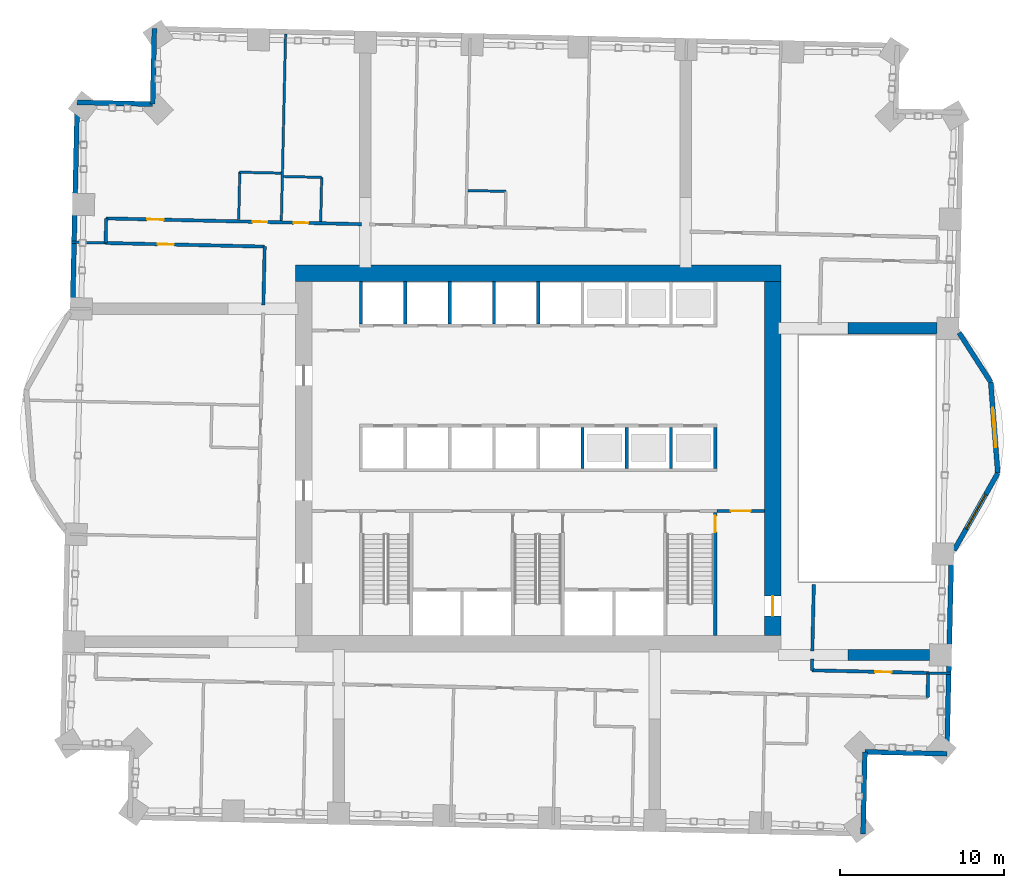
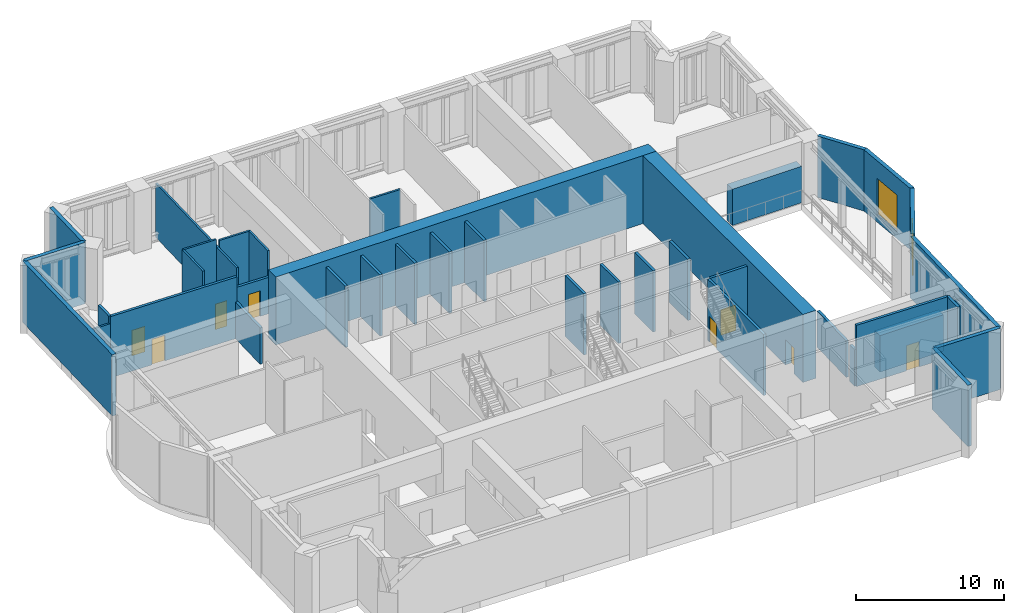
# One storey, part 8 of 13: 40 walls, 8 doors, 2 windows, 10 openings.
"""IFC4 building model written with IfcOpenShell, lengths in metres."""

from ifc_helpers import new_model, si_unit, direction, frame, frame_2d, origin, place, context, subcontext, project, spatial, rectangle, extrude, material, layer, layer_set, type_object, element, fill, save


model = new_model("IFC4")

# Units and contexts
model_context = context("Model", 3, precision=1e-05, world=origin(), true_north=direction((0.0, 1.0)))
body_context = subcontext(model_context, "Body", "Model", "MODEL_VIEW")
ifc_project = project(units=[si_unit("LENGTHUNIT", "METRE"), si_unit("AREAUNIT", "SQUARE_METRE"), si_unit("VOLUMEUNIT", "CUBIC_METRE"), si_unit("PLANEANGLEUNIT", "RADIAN"), si_unit("MASSUNIT", "GRAM", prefix="KILO")], contexts=[model_context])

# Site, building, storey
site_placement = place(None, origin())
site = spatial("IfcSite", under=ifc_project, at=site_placement, CompositionType="ELEMENT")
building_placement = place(site_placement, origin())
building = spatial("IfcBuilding", under=site, at=building_placement, Name="Mangrove Gate Tower", CompositionType="ELEMENT")
storey_placement = place(building_placement, frame((0.0, 0.0, 119.89990234375)))
storey = spatial("IfcBuildingStorey", under=building, at=storey_placement, Name="L30", CompositionType="ELEMENT", Elevation=119.89990234375)

# Wall, opening, door
ifc_material_1 = material(Name="Concrete C32/40", Category="concrete")
ifc_layer_1 = layer(ifc_material_1, 0.199951171875)
ifc_layer_set_1 = layer_set([ifc_layer_1], Name="Core lobby wall 200 C32/40")
wall_type_1 = type_object("IfcWallType", Name="Core lobby wall 200 C32/40", PredefinedType="STANDARD", material=ifc_layer_set_1)
wall_1_placement = place(storey_placement, frame((10.89990234375, -3.199951171875, 0.0), z_axis=(0.0, 0.0, 1.0), x_axis=(1.0, 0.0, 0.0)))
wall_1 = element("IfcWall", 1, at=wall_1_placement, inside=storey, type_object=wall_type_1, Name="WALL-L30-CORE-39", PredefinedType="STANDARD", context=body_context, shape_type="SweptSolid", body=[
    extrude(rectangle(XDim=2.900146484375, YDim=0.199951171875, at=frame_2d((1.4501953125, 0.0))), origin(), (0.0, 0.0, 1.0), 5.050048828125),
])
opening_1_placement = place(wall_1_placement, frame((0.85009765625, 0.0, 0.0)))
opening_1 = element("IfcOpeningElement", 2, at=opening_1_placement, cuts=wall_1, Name="Opening FL12", PredefinedType="OPENING", context=body_context, shape_type="SweptSolid", body=[
    extrude(rectangle(XDim=1.199951171875, YDim=2.10009765625, at=frame_2d((0.60009765625, 1.050048828125))), frame((0.0, 0.10986328125, 0.0), z_axis=(0.0, -1.0, 0.0), x_axis=(1.0, 0.0, 0.0)), (0.0, 0.0, 1.0), 0.219970703125),
])
ifc_material_2 = material(Name="Fire-rated steel door set", Category="steel")
door_type_1 = type_object("IfcDoorType", Name="Lobby door FD60 1200x2100", OperationType="SINGLE_SWING_LEFT", PredefinedType="DOOR", material=ifc_material_2)
door_1_placement = place(opening_1_placement, origin())
door_1 = element("IfcDoor", 3, at=door_1_placement, inside=storey, type_object=door_type_1, Name="Lobby door refuge lobby E link", OperationType="SINGLE_SWING_LEFT", OverallHeight=2.10009765625, OverallWidth=1.199951171875, PredefinedType="DOOR", context=body_context, shape_type="SweptSolid", body=[
    extrude(rectangle(XDim=1.199951171875, YDim=2.10009765625, at=frame_2d((0.60009765625, 1.050048828125))), frame((0.0, 0.02490234375, 0.0), z_axis=(0.0, -1.0, 0.0), x_axis=(1.0, 0.0, 0.0)), (0.0, 0.0, 1.0), 0.050048828125),
])
fill(opening_1, door_1)

# Walls
ifc_material_3 = material(Name="Concrete C70/85", Category="concrete")
ifc_layer_2 = layer(ifc_material_3, 0.199951171875)
ifc_layer_set_2 = layer_set([ifc_layer_2], Name="Core shaft wall 200 C70/85")
wall_type_2 = type_object("IfcWallType", Name="Core shaft wall 200 C70/85", PredefinedType="SHEAR", material=ifc_layer_set_2)
for number, where, z_axis, x_axis, name in (
    (4, (2.699951171875, -0.60009765625, 0.0), (0.0, 0.0, 1.0), (0.0, 1.0, 0.0), "WALL-L30-CORE-24"),
    (5, (5.39990234375, -0.60009765625, 0.0), (0.0, 0.0, 1.0), (0.0, 1.0, 0.0), "WALL-L30-CORE-25"),
    (6, (8.10009765625, -0.60009765625, 0.0), (0.0, 0.0, 1.0), (0.0, 1.0, 0.0), "WALL-L30-CORE-26"),
    (7, (10.800048828125, -0.60009765625, 0.0), (0.0, 0.0, 1.0), (0.0, 1.0, 0.0), "WALL-L30-CORE-27"),
):
    element("IfcWall", number, at=place(storey_placement, frame(where, z_axis=z_axis, x_axis=x_axis)), inside=storey, type_object=wall_type_2, Name=name, PredefinedType="SHEAR", context=body_context, shape_type="SweptSolid", body=[
        extrude(rectangle(XDim=2.5, YDim=0.199951171875, at=frame_2d((1.25, 0.0))), origin(), (0.0, 0.0, 1.0), 5.050048828125),
    ])
for number, where, z_axis, x_axis, name in (
    (8, (-10.800048828125, 8.199951171875, 0.0), (0.0, 0.0, 1.0), (0.0, 1.0, 0.0), "WALL-L30-CORE-28"),
    (9, (-8.10009765625, 8.199951171875, 0.0), (0.0, 0.0, 1.0), (0.0, 1.0, 0.0), "WALL-L30-CORE-29"),
    (10, (-5.39990234375, 8.199951171875, 0.0), (0.0, 0.0, 1.0), (0.0, 1.0, 0.0), "WALL-L30-CORE-30"),
    (11, (-2.699951171875, 8.199951171875, 0.0), (0.0, 0.0, 1.0), (0.0, 1.0, 0.0), "WALL-L30-CORE-31"),
    (12, (0.0, 8.199951171875, 0.0), (0.0, 0.0, 1.0), (0.0, 1.0, 0.0), "WALL-L30-CORE-32"),
):
    element("IfcWall", number, at=place(storey_placement, frame(where, z_axis=z_axis, x_axis=x_axis)), inside=storey, type_object=wall_type_2, Name=name, PredefinedType="SHEAR", context=body_context, shape_type="SweptSolid", body=[
        extrude(rectangle(XDim=2.60009765625, YDim=0.199951171875, at=frame_2d((1.300048828125, 0.0))), origin(), (0.0, 0.0, 1.0), 5.050048828125),
    ])

# Wall, opening, door
ifc_material_4 = material(Name="Concrete C70/85", Category="concrete")
ifc_layer_3 = layer(ifc_material_4, 0.199951171875)
ifc_layer_set_3 = layer_set([ifc_layer_3], Name="Core stair wall 200 C70/85")
wall_type_3 = type_object("IfcWallType", Name="Core stair wall 200 C70/85", PredefinedType="SHEAR", material=ifc_layer_set_3)
wall_2_placement = place(storey_placement, frame((10.800048828125, -10.800048828125, 0.0), z_axis=(0.0, 0.0, 1.0), x_axis=(0.0, 1.0, 0.0)))
wall_2 = element("IfcWall", 13, at=wall_2_placement, inside=storey, type_object=wall_type_3, Name="WALL-L30-CORE-14", PredefinedType="SHEAR", context=body_context, shape_type="SweptSolid", body=[
    extrude(rectangle(XDim=7.5, YDim=0.199951171875, at=frame_2d((3.75, 0.0))), origin(), (0.0, 0.0, 1.0), 5.050048828125),
])
opening_2_placement = place(wall_2_placement, frame((6.300048828125, 0.0, 0.0)))
opening_2 = element("IfcOpeningElement", 14, at=opening_2_placement, cuts=wall_2, Name="Opening STD10", PredefinedType="OPENING", context=body_context, shape_type="SweptSolid", body=[
    extrude(rectangle(XDim=1.0, YDim=2.10009765625, at=frame_2d((0.5, 1.050048828125))), frame((0.0, 0.10986328125, 0.0), z_axis=(0.0, -1.0, 0.0), x_axis=(1.0, 0.0, 0.0)), (0.0, 0.0, 1.0), 0.219970703125),
])
ifc_material_5 = material(Name="Fire-rated steel door set", Category="steel")
door_type_2 = type_object("IfcDoorType", Name="Stair door FD60 1000x2100", OperationType="SINGLE_SWING_RIGHT", PredefinedType="DOOR", material=ifc_material_5)
door_2_placement = place(opening_2_placement, origin())
door_2 = element("IfcDoor", 15, at=door_2_placement, inside=storey, type_object=door_type_2, Name="Stair door refuge lobby E to stair", OperationType="SINGLE_SWING_RIGHT", OverallHeight=2.10009765625, OverallWidth=1.0, PredefinedType="DOOR", context=body_context, shape_type="SweptSolid", body=[
    extrude(rectangle(XDim=1.0, YDim=2.10009765625, at=frame_2d((0.5, 1.050048828125))), frame((0.0, 0.02490234375, 0.0), z_axis=(0.0, -1.0, 0.0), x_axis=(1.0, 0.0, 0.0)), (0.0, 0.0, 1.0), 0.050048828125),
])
fill(opening_2, door_2)

# Wall
ifc_material_6 = material(Name="Concrete C70/85", Category="concrete")
ifc_layer_4 = layer(ifc_material_6, 1.0)
ifc_layer_set_4 = layer_set([ifc_layer_4], Name="Core wall 1000 C70/85")
wall_type_4 = type_object("IfcWallType", Name="Core wall 1000 C70/85", PredefinedType="SHEAR", material=ifc_layer_set_4)
wall_3_placement = place(storey_placement, frame((-14.800048828125, 11.300048828125, 0.0), z_axis=(0.0, 0.0, 1.0), x_axis=(1.0, 0.0, 0.0)))
element("IfcWall", 16, at=wall_3_placement, inside=storey, type_object=wall_type_4, Name="WALL-L30-CORE-2", PredefinedType="SHEAR", context=body_context, shape_type="SweptSolid", body=[
    extrude(rectangle(XDim=29.60009765625, YDim=1.0, at=frame_2d((14.800048828125, 0.0))), origin(), (0.0, 0.0, 1.0), 5.60009765625),
])

# Wall, opening, door
wall_4_placement = place(storey_placement, frame((14.300048828125, -10.800048828125, 0.0), z_axis=(0.0, 0.0, 1.0), x_axis=(0.0, 1.0, 0.0)))
wall_4 = element("IfcWall", 17, at=wall_4_placement, inside=storey, type_object=wall_type_4, Name="WALL-L30-CORE-4", PredefinedType="SHEAR", context=body_context, shape_type="SweptSolid", body=[
    extrude(rectangle(XDim=21.60009765625, YDim=1.0, at=frame_2d((10.800048828125, 0.0))), origin(), (0.0, 0.0, 1.0), 5.60009765625),
])
opening_3_placement = place(wall_4_placement, frame((1.199951171875, 0.0, 0.0)))
opening_3 = element("IfcOpeningElement", 18, at=opening_3_placement, cuts=wall_4, Name="Opening CD", PredefinedType="OPENING", context=body_context, shape_type="SweptSolid", body=[
    extrude(rectangle(XDim=1.199951171875, YDim=2.10009765625, at=frame_2d((0.60009765625, 1.050048828125))), frame((0.0, 0.510009765625, 0.0), z_axis=(0.0, -1.0, 0.0), x_axis=(1.0, 0.0, 0.0)), (0.0, 0.0, 1.0), 1.02001953125),
])
ifc_material_7 = material(Name="Fire-rated steel door set", Category="steel")
door_type_3 = type_object("IfcDoorType", Name="Core ring door FD60 1200x2100", OperationType="DOUBLE_DOOR_SINGLE_SWING", PredefinedType="DOOR", material=ifc_material_7)
door_3_placement = place(opening_3_placement, origin())
door_3 = element("IfcDoor", 19, at=door_3_placement, inside=storey, type_object=door_type_3, Name="Core ring door E1", OperationType="DOUBLE_DOOR_SINGLE_SWING", OverallHeight=2.10009765625, OverallWidth=1.199951171875, PredefinedType="DOOR", context=body_context, shape_type="SweptSolid", body=[
    extrude(rectangle(XDim=1.199951171875, YDim=2.10009765625, at=frame_2d((0.60009765625, 1.050048828125))), frame((0.0, 0.02490234375, 0.0), z_axis=(0.0, -1.0, 0.0), x_axis=(1.0, 0.0, 0.0)), (0.0, 0.0, 1.0), 0.050048828125),
])
fill(opening_3, door_3)

# Wall
ifc_material_8 = material(Name="Gypsum board on steel stud, EI 60", Category="steel")
ifc_layer_5 = layer(ifc_material_8, 0.199951171875)
ifc_layer_set_5 = layer_set([ifc_layer_5], Name="Corridor wall EI 60")
wall_type_5 = type_object("IfcWallType", Name="Corridor wall EI 60", PredefinedType="PARTITIONING", material=ifc_layer_set_5)
wall_5_placement = place(storey_placement, frame((23.738037109375, -14.5791015625, 0.0), z_axis=(0.0, 0.0, 1.0), x_axis=(0.022617910375, 0.999744182344, 0.0)))
element("IfcWall", 20, at=wall_5_placement, inside=storey, type_object=wall_type_5, Name="WALL-L30-015", PredefinedType="PARTITIONING", context=body_context, shape_type="SweptSolid", body=[
    extrude(rectangle(XDim=1.50048828125, YDim=0.199951171875, at=frame_2d((0.750244140625, 0.0))), origin(), (0.0, 0.0, 1.0), 5.050048828125),
])

# Wall, opening, door
wall_6_placement = place(storey_placement, frame((16.678955078125, -12.91796875, 0.0), z_axis=(0.0, 0.0, 1.0), x_axis=(0.999739218926, -0.02283624622, 0.0)))
wall_6 = element("IfcWall", 21, at=wall_6_placement, inside=storey, type_object=wall_type_5, Name="WALL-L30-018", PredefinedType="PARTITIONING", context=body_context, shape_type="SweptSolid", body=[
    extrude(rectangle(XDim=7.098876953125, YDim=0.199951171875, at=frame_2d((3.54931640625, 0.0))), origin(), (0.0, 0.0, 1.0), 5.050048828125),
])
opening_4_placement = place(wall_6_placement, frame((3.862060546875, 0.0, 0.0)))
opening_4 = element("IfcOpeningElement", 22, at=opening_4_placement, cuts=wall_6, Name="Opening AD", PredefinedType="OPENING", context=body_context, shape_type="SweptSolid", body=[
    extrude(rectangle(XDim=1.0, YDim=2.10009765625, at=frame_2d((0.5, 1.050048828125))), frame((0.0, 0.10986328125, 0.0), z_axis=(0.0, -1.0, 0.0), x_axis=(1.0, 0.0, 0.0)), (0.0, 0.0, 1.0), 0.219970703125),
])
ifc_material_9 = material(Name="Timber door leaf", Category="wood")
door_type_4 = type_object("IfcDoorType", Name="Amenity door 1000", OperationType="SINGLE_SWING_LEFT", PredefinedType="DOOR", material=ifc_material_9)
door_4_placement = place(opening_4_placement, origin())
door_4 = element("IfcDoor", 23, at=door_4_placement, inside=storey, type_object=door_type_4, Name="DOOR-L30-KIT-c2b", OperationType="SINGLE_SWING_RIGHT", OverallHeight=2.10009765625, OverallWidth=1.0, PredefinedType="DOOR", context=body_context, shape_type="SweptSolid", body=[
    extrude(rectangle(XDim=1.0, YDim=2.10009765625, at=frame_2d((0.5, 1.050048828125))), frame((0.0, 0.02490234375, 0.0), z_axis=(0.0, -1.0, 0.0), x_axis=(1.0, 0.0, 0.0)), (0.0, 0.0, 1.0), 0.050048828125),
])
fill(opening_4, door_4)

# Walls
wall_7_placement = place(storey_placement, frame((16.68408203125, -12.9189453125, 0.0), z_axis=(0.0, 0.0, 1.0), x_axis=(0.02302720217, 0.999734838825, 0.0)))
element("IfcWall", 24, at=wall_7_placement, inside=storey, type_object=wall_type_5, Name="WALL-L30-019", PredefinedType="PARTITIONING", context=body_context, shape_type="SweptSolid", body=[
    extrude(rectangle(XDim=0.689208984375, YDim=0.199951171875, at=frame_2d((0.3447265625, 0.0))), origin(), (0.0, 0.0, 1.0), 3.0),
])
wall_8_placement = place(storey_placement, frame((16.7109375, -11.738037109375, 0.0), z_axis=(0.0, 0.0, 1.0), x_axis=(0.022647716762, 0.999743507569, 0.0)))
element("IfcWall", 25, at=wall_8_placement, inside=storey, type_object=wall_type_5, Name="WALL-L30-021", PredefinedType="PARTITIONING", context=body_context, shape_type="SweptSolid", body=[
    extrude(rectangle(XDim=4.06396484375, YDim=0.199951171875, at=frame_2d((2.031982421875, 0.0))), origin(), (0.0, 0.0, 1.0), 3.0),
])
wall_9_placement = place(storey_placement, frame((-16.759033203125, 9.367919921875, 0.0), z_axis=(0.0, 0.0, 1.0), x_axis=(0.022819769377, 0.999739595157, 0.0)))
element("IfcWall", 26, at=wall_9_placement, inside=storey, type_object=wall_type_5, Name="WALL-L30-029", PredefinedType="PARTITIONING", context=body_context, shape_type="SweptSolid", body=[
    extrude(rectangle(XDim=3.552001953125, YDim=0.199951171875, at=frame_2d((1.77587890625, 0.0))), origin(), (0.0, 0.0, 1.0), 3.0),
])

# Wall, opening, door
wall_10_placement = place(storey_placement, frame((-26.375, 13.135009765625, 0.0), z_axis=(0.0, 0.0, 1.0), x_axis=(0.999742757425, -0.022680806356, 0.0)))
wall_10 = element("IfcWall", 27, at=wall_10_placement, inside=storey, type_object=wall_type_5, Name="WALL-L30-031", PredefinedType="PARTITIONING", context=body_context, shape_type="SweptSolid", body=[
    extrude(rectangle(XDim=9.698486328125, YDim=0.199951171875, at=frame_2d((4.84912109375, 0.0))), origin(), (0.0, 0.0, 1.0), 5.050048828125),
])
opening_5_placement = place(wall_10_placement, frame((3.1669921875, 0.0, 0.0)))
opening_5 = element("IfcOpeningElement", 28, at=opening_5_placement, cuts=wall_10, Name="Opening AD", PredefinedType="OPENING", context=body_context, shape_type="SweptSolid", body=[
    extrude(rectangle(XDim=1.0, YDim=2.10009765625, at=frame_2d((0.5, 1.050048828125))), frame((0.0, 0.10986328125, 0.0), z_axis=(0.0, -1.0, 0.0), x_axis=(1.0, 0.0, 0.0)), (0.0, 0.0, 1.0), 0.219970703125),
])
door_5_placement = place(opening_5_placement, origin())
door_5 = element("IfcDoor", 29, at=door_5_placement, inside=storey, type_object=door_type_4, Name="DOOR-L30-GAM-c5a", OperationType="SINGLE_SWING_LEFT", OverallHeight=2.10009765625, OverallWidth=1.0, PredefinedType="DOOR", context=body_context, shape_type="SweptSolid", body=[
    extrude(rectangle(XDim=1.0, YDim=2.10009765625, at=frame_2d((0.5, 1.050048828125))), frame((0.0, 0.02490234375, 0.0), z_axis=(0.0, -1.0, 0.0), x_axis=(1.0, 0.0, 0.0)), (0.0, 0.0, 1.0), 0.050048828125),
])
fill(opening_5, door_5)

# Wall
wall_11_placement = place(storey_placement, frame((-26.3759765625, 13.138916015625, 0.0), z_axis=(0.0, 0.0, 1.0), x_axis=(0.022617910375, 0.999744182344, 0.0)))
element("IfcWall", 30, at=wall_11_placement, inside=storey, type_object=wall_type_5, Name="WALL-L30-034", PredefinedType="PARTITIONING", context=body_context, shape_type="SweptSolid", body=[
    extrude(rectangle(XDim=1.50048828125, YDim=0.199951171875, at=frame_2d((0.750244140625, 0.0))), origin(), (0.0, 0.0, 1.0), 5.050048828125),
])

# Wall, openings, doors
wall_12_placement = place(storey_placement, frame((-26.341064453125, 14.635009765625, 0.0), z_axis=(0.0, 0.0, 1.0), x_axis=(0.999742628706, -0.022686479412, 0.0)))
wall_12 = element("IfcWall", 31, at=wall_12_placement, inside=storey, type_object=wall_type_5, Name="WALL-L30-036", PredefinedType="PARTITIONING", context=body_context, shape_type="SweptSolid", body=[
    extrude(rectangle(XDim=15.56103515625, YDim=0.199951171875, at=frame_2d((7.780517578125, 0.0))), origin(), (0.0, 0.0, 1.0), 3.0),
])
opening_6_placement = place(wall_12_placement, frame((11.425048828125, 0.0, 0.0)))
opening_6 = element("IfcOpeningElement", 32, at=opening_6_placement, cuts=wall_12, Name="Opening SD", PredefinedType="OPENING", context=body_context, shape_type="SweptSolid", body=[
    extrude(rectangle(XDim=0.89990234375, YDim=2.10009765625, at=frame_2d((0.449951171875, 1.050048828125))), frame((0.0, 0.10986328125, 0.0), z_axis=(0.0, -1.0, 0.0), x_axis=(1.0, 0.0, 0.0)), (0.0, 0.0, 1.0), 0.219970703125),
])
opening_7_placement = place(wall_12_placement, frame((2.5, 0.0, 0.0)))
opening_7 = element("IfcOpeningElement", 33, at=opening_7_placement, cuts=wall_12, Name="Opening AD", PredefinedType="OPENING", context=body_context, shape_type="SweptSolid", body=[
    extrude(rectangle(XDim=1.0, YDim=2.10009765625, at=frame_2d((0.5, 1.050048828125))), frame((0.0, 0.10986328125, 0.0), z_axis=(0.0, -1.0, 0.0), x_axis=(1.0, 0.0, 0.0)), (0.0, 0.0, 1.0), 0.219970703125),
])
opening_8_placement = place(wall_12_placement, frame((8.925048828125, 0.0, 0.0)))
opening_8 = element("IfcOpeningElement", 34, at=opening_8_placement, cuts=wall_12, Name="Opening SD", PredefinedType="OPENING", context=body_context, shape_type="SweptSolid", body=[
    extrude(rectangle(XDim=0.89990234375, YDim=2.10009765625, at=frame_2d((0.449951171875, 1.050048828125))), frame((0.0, 0.10986328125, 0.0), z_axis=(0.0, -1.0, 0.0), x_axis=(1.0, 0.0, 0.0)), (0.0, 0.0, 1.0), 0.219970703125),
])
door_6_placement = place(opening_7_placement, origin())
door_6 = element("IfcDoor", 35, at=door_6_placement, inside=storey, type_object=door_type_4, Name="DOOR-L30-LNG-c4b", OperationType="SINGLE_SWING_RIGHT", OverallHeight=2.10009765625, OverallWidth=1.0, PredefinedType="DOOR", context=body_context, shape_type="SweptSolid", body=[
    extrude(rectangle(XDim=1.0, YDim=2.10009765625, at=frame_2d((0.5, 1.050048828125))), frame((0.0, 0.02490234375, 0.0), z_axis=(0.0, -1.0, 0.0), x_axis=(1.0, 0.0, 0.0)), (0.0, 0.0, 1.0), 0.050048828125),
])
fill(opening_7, door_6)
ifc_material_10 = material(Name="Timber door leaf", Category="wood")
door_type_5 = type_object("IfcDoorType", Name="Service room door 900", OperationType="SINGLE_SWING_LEFT", PredefinedType="DOOR", material=ifc_material_10)
door_7_placement = place(opening_6_placement, origin())
door_7 = element("IfcDoor", 36, at=door_7_placement, inside=storey, type_object=door_type_5, Name="DOOR-L30-WC-c4a", OperationType="SINGLE_SWING_RIGHT", OverallHeight=2.10009765625, OverallWidth=0.89990234375, PredefinedType="DOOR", context=body_context, shape_type="SweptSolid", body=[
    extrude(rectangle(XDim=0.89990234375, YDim=2.10009765625, at=frame_2d((0.449951171875, 1.050048828125))), frame((0.0, 0.02490234375, 0.0), z_axis=(0.0, -1.0, 0.0), x_axis=(1.0, 0.0, 0.0)), (0.0, 0.0, 1.0), 0.050048828125),
])
fill(opening_6, door_7)
door_8_placement = place(opening_8_placement, origin())
door_8 = element("IfcDoor", 37, at=door_8_placement, inside=storey, type_object=door_type_5, Name="DOOR-L30-AWC-c4a", OperationType="SINGLE_SWING_LEFT", OverallHeight=2.10009765625, OverallWidth=0.89990234375, PredefinedType="DOOR", context=body_context, shape_type="SweptSolid", body=[
    extrude(rectangle(XDim=0.89990234375, YDim=2.10009765625, at=frame_2d((0.449951171875, 1.050048828125))), frame((0.0, 0.02490234375, 0.0), z_axis=(0.0, -1.0, 0.0), x_axis=(1.0, 0.0, 0.0)), (0.0, 0.0, 1.0), 0.050048828125),
])
fill(opening_8, door_8)

# Wall
ifc_material_11 = material(Name="Limestone", Category="masonry")
ifc_layer_6 = layer(ifc_material_11, 0.0400390625, Name="Limestone cladding")
ifc_material_12 = material(Name="Ventilated air gap")
ifc_layer_7 = layer(ifc_material_12, 0.0400390625, Name="Ventilated cavity")
ifc_material_13 = material(Name="Mineral wool insulation")
ifc_layer_8 = layer(ifc_material_13, 0.06005859375, Name="Insulation")
ifc_material_14 = material(Name="Breather membrane")
ifc_layer_9 = layer(ifc_material_14, 0.001953125, Name="Breather membrane")
ifc_material_15 = material(Name="Concrete C20/25 blockwork", Category="masonry")
ifc_layer_10 = layer(ifc_material_15, 0.14990234375, Name="Blockwork backing wall")
ifc_material_16 = material(Name="Gypsum plaster")
ifc_layer_11 = layer(ifc_material_16, 0.008056640625, Name="Internal plaster")
ifc_layer_set_6 = layer_set([ifc_layer_6, ifc_layer_7, ifc_layer_8, ifc_layer_9, ifc_layer_10, ifc_layer_11], Name="External wall 300 limestone cladding")
wall_type_6 = type_object("IfcWallType", Name="External wall 300 limestone cladding", PredefinedType="SOLIDWALL", material=ifc_layer_set_6)
wall_13_placement = place(storey_placement, frame((24.9150390625, -18.007080078125, 0.0), z_axis=(0.0, 0.0, 1.0), x_axis=(0.02263706344, 0.999743748847, 0.0)))
element("IfcWall", 38, at=wall_13_placement, inside=storey, type_object=wall_type_6, Name="WALL-L30-E0", PredefinedType="SOLIDWALL", context=body_context, shape_type="SweptSolid", body=[
    extrude(rectangle(XDim=12.230224609375, YDim=0.300048828125, at=frame_2d((6.115234375, 0.0))), origin(), (0.0, 0.0, 1.0), 5.050048828125),
])

# Wall, opening, window
wall_14_placement = place(storey_placement, frame((25.35693359375, -5.593994140625, 0.0), z_axis=(0.0, 0.0, 1.0), x_axis=(0.492589172415, 0.8702619762, 0.0)))
wall_14 = element("IfcWall", 39, at=wall_14_placement, inside=storey, type_object=wall_type_6, Name="WALL-L30-E1f1", PredefinedType="SOLIDWALL", context=body_context, shape_type="SweptSolid", body=[
    extrude(rectangle(XDim=5.3984375, YDim=0.300048828125, at=frame_2d((2.69921875, 0.0))), origin(), (0.0, 0.0, 1.0), 5.050048828125),
])
opening_9_placement = place(wall_14_placement, frame((1.4990234375, 0.0, 0.60009765625)))
opening_9 = element("IfcOpeningElement", 40, at=opening_9_placement, cuts=wall_14, Name="Opening W4", PredefinedType="OPENING", context=body_context, shape_type="SweptSolid", body=[
    extrude(rectangle(XDim=2.39990234375, YDim=3.0, at=frame_2d((1.199951171875, 1.5))), frame((0.0, 0.159912109375, 0.0), z_axis=(0.0, -1.0, 0.0), x_axis=(1.0, 0.0, 0.0)), (0.0, 0.0, 1.0), 0.320068359375),
])
ifc_material_17 = material(Name="Aluminium louvre blades", Category="aluminium")
window_type = type_object("IfcWindowType", Name="Plant louvre 2400x3000", PartitioningType="SINGLE_PANEL", PredefinedType="WINDOW", material=ifc_material_17)
window_1_placement = place(opening_9_placement, origin())
window_1 = element("IfcWindow", 41, at=window_1_placement, inside=storey, type_object=window_type, Name="WIN-L30-E1f1", OverallHeight=3.0, OverallWidth=2.39990234375, PartitioningType="SINGLE_PANEL", PredefinedType="WINDOW", context=body_context, shape_type="SweptSolid", body=[
    extrude(rectangle(XDim=2.39990234375, YDim=3.0, at=frame_2d((1.199951171875, 1.5))), frame((0.0, 0.030029296875, 0.0), z_axis=(0.0, -1.0, 0.0), x_axis=(1.0, 0.0, 0.0)), (0.0, 0.0, 1.0), 0.06005859375),
])
fill(opening_9, window_1)

wall_15_placement = place(storey_placement, frame((28.01611328125, -0.89599609375, 0.0), z_axis=(0.0, 0.0, 1.0), x_axis=(-0.077182195999, 0.997017005181, 0.0)))
wall_15 = element("IfcWall", 42, at=wall_15_placement, inside=storey, type_object=wall_type_6, Name="WALL-L30-E1f2", PredefinedType="SOLIDWALL", context=body_context, shape_type="SweptSolid", body=[
    extrude(rectangle(XDim=5.573486328125, YDim=0.300048828125, at=frame_2d((2.78662109375, 0.0))), origin(), (0.0, 0.0, 1.0), 5.050048828125),
])
opening_10_placement = place(wall_15_placement, frame((1.5869140625, 0.0, 0.60009765625)))
opening_10 = element("IfcOpeningElement", 43, at=opening_10_placement, cuts=wall_15, Name="Opening W4", PredefinedType="OPENING", context=body_context, shape_type="SweptSolid", body=[
    extrude(rectangle(XDim=2.39990234375, YDim=3.0, at=frame_2d((1.199951171875, 1.5))), frame((0.0, 0.159912109375, 0.0), z_axis=(0.0, -1.0, 0.0), x_axis=(1.0, 0.0, 0.0)), (0.0, 0.0, 1.0), 0.320068359375),
])
window_2_placement = place(opening_10_placement, origin())
window_2 = element("IfcWindow", 44, at=window_2_placement, inside=storey, type_object=window_type, Name="WIN-L30-E1f2", OverallHeight=3.0, OverallWidth=2.39990234375, PartitioningType="SINGLE_PANEL", PredefinedType="WINDOW", context=body_context, shape_type="SweptSolid", body=[
    extrude(rectangle(XDim=2.39990234375, YDim=3.0, at=frame_2d((1.199951171875, 1.5))), frame((0.0, 0.030029296875, 0.0), z_axis=(0.0, -1.0, 0.0), x_axis=(1.0, 0.0, 0.0)), (0.0, 0.0, 1.0), 0.06005859375),
])
fill(opening_10, window_2)

# Walls
wall_16_placement = place(storey_placement, frame((27.5859375, 4.660888671875, 0.0), z_axis=(0.0, 0.0, 1.0), x_axis=(-0.540553562828, 0.841309601582, 0.0)))
element("IfcWall", 45, at=wall_16_placement, inside=storey, type_object=wall_type_6, Name="WALL-L30-E1f3", PredefinedType="SOLIDWALL", context=body_context, shape_type="SweptSolid", body=[
    extrude(rectangle(XDim=3.568359375, YDim=0.300048828125, at=frame_2d((1.7841796875, 0.0))), origin(), (0.0, 0.0, 1.0), 5.050048828125),
])
for number, where, z_axis, x_axis, name in (
    (46, (-23.403076171875, 26.200927734375, 0.0), (0.0, 0.0, 1.0), (-0.022609285172, -0.999744377441, 0.0), "WALL-L30-W6"),
    (47, (-23.507080078125, 21.60205078125, 0.0), (0.0, 0.0, 1.0), (-0.999739556364, 0.022821468877, 0.0), "WALL-L30-N7"),
):
    element("IfcWall", number, at=place(storey_placement, frame(where, z_axis=z_axis, x_axis=x_axis)), inside=storey, type_object=wall_type_6, Name=name, PredefinedType="SOLIDWALL", context=body_context, shape_type="SweptSolid", body=[
        extrude(rectangle(XDim=4.60009765625, YDim=0.300048828125, at=frame_2d((2.300048828125, 0.0))), origin(), (0.0, 0.0, 1.0), 5.050048828125),
    ])
wall_17_placement = place(storey_placement, frame((-28.10595703125, 21.70703125, 0.0), z_axis=(0.0, 0.0, 1.0), x_axis=(-0.022654663697, -0.999743350172, 0.0)))
element("IfcWall", 48, at=wall_17_placement, inside=storey, type_object=wall_type_6, Name="WALL-L30-W8", PredefinedType="SOLIDWALL", context=body_context, shape_type="SweptSolid", body=[
    extrude(rectangle(XDim=12.630126953125, YDim=0.300048828125, at=frame_2d((6.31494140625, 0.0))), origin(), (0.0, 0.0, 1.0), 5.050048828125),
])
for number, where, z_axis, x_axis, name in (
    (49, (19.802978515625, -22.89208984375, 0.0), (0.0, 0.0, 1.0), (0.022606059803, 0.999744450377, 0.0), "WALL-L30-E14"),
    (50, (19.916015625, -17.89306640625, 0.0), (0.0, 0.0, 1.0), (0.999740017489, -0.022801259434, 0.0), "WALL-L30-S15"),
):
    element("IfcWall", number, at=place(storey_placement, frame(where, z_axis=z_axis, x_axis=x_axis)), inside=storey, type_object=wall_type_6, Name=name, PredefinedType="SOLIDWALL", context=body_context, shape_type="SweptSolid", body=[
        extrude(rectangle(XDim=5.000244140625, YDim=0.300048828125, at=frame_2d((2.5, 0.0))), origin(), (0.0, 0.0, 1.0), 5.050048828125),
    ])
ifc_material_18 = material(Name="Concrete C70/85", Category="concrete")
ifc_layer_12 = layer(ifc_material_18, 0.699951171875)
ifc_layer_set_7 = layer_set([ifc_layer_12], Name="Outrigger wall 700 C70/85")
wall_type_7 = type_object("IfcWallType", Name="Outrigger wall 700 C70/85", PredefinedType="SHEAR", material=ifc_layer_set_7)
wall_18_placement = place(storey_placement, frame((18.89990234375, 7.92431640625, 0.0), z_axis=(0.0, 0.0, 1.0), x_axis=(1.0, 0.0, 0.0)))
element("IfcWall", 51, at=wall_18_placement, inside=storey, type_object=wall_type_7, Name="Outrigger wall L30 OR1 pier", PredefinedType="SHEAR", context=body_context, shape_type="SweptSolid", body=[
    extrude(rectangle(XDim=5.403076171875, YDim=0.699951171875, at=frame_2d((2.70166015625, 0.0))), origin(), (0.0, 0.0, 1.0), 3.0),
])
wall_19_placement = place(storey_placement, frame((18.89990234375, -11.983642578125, 0.0), z_axis=(0.0, 0.0, 1.0), x_axis=(1.0, 0.0, 0.0)))
element("IfcWall", 52, at=wall_19_placement, inside=storey, type_object=wall_type_7, Name="Outrigger wall L30 OR5 pier", PredefinedType="SHEAR", context=body_context, shape_type="SweptSolid", body=[
    extrude(rectangle(XDim=4.951171875, YDim=0.699951171875, at=frame_2d((2.4755859375, 0.0))), origin(), (0.0, 0.0, 1.0), 3.0),
])
ifc_material_19 = material(Name="Gypsum board on steel stud, EI 60", Category="steel")
ifc_layer_13 = layer(ifc_material_19, 0.14990234375)
ifc_layer_set_8 = layer_set([ifc_layer_13], Name="Party wall 150 EI 60")
wall_type_8 = type_object("IfcWallType", Name="Party wall 150 EI 60", PredefinedType="PARTITIONING", material=ifc_layer_set_8)
wall_20_placement = place(storey_placement, frame((23.77197265625, -13.0791015625, 0.0), z_axis=(0.0, 0.0, 1.0), x_axis=(0.999740667531, -0.022772739949, 0.0)))
element("IfcWall", 53, at=wall_20_placement, inside=storey, type_object=wall_type_8, Name="WALL-L30-020", PredefinedType="PARTITIONING", context=body_context, shape_type="SweptSolid", body=[
    extrude(rectangle(XDim=1.404296875, YDim=0.14990234375, at=frame_2d((0.7021484375, 0.0))), origin(), (0.0, 0.0, 1.0), 4.4501953125),
])
wall_21_placement = place(storey_placement, frame((-28.448974609375, 13.181884765625, 0.0), z_axis=(0.0, 0.0, 1.0), x_axis=(0.999745641909, -0.022553303166, 0.0)))
element("IfcWall", 54, at=wall_21_placement, inside=storey, type_object=wall_type_8, Name="WALL-L30-030", PredefinedType="PARTITIONING", context=body_context, shape_type="SweptSolid", body=[
    extrude(rectangle(XDim=2.078369140625, YDim=0.14990234375, at=frame_2d((1.0390625, 0.0))), origin(), (0.0, 0.0, 1.0), 4.4501953125),
])
wall_22_placement = place(storey_placement, frame((-18.261962890625, 14.554931640625, 0.0), z_axis=(0.0, 0.0, 1.0), x_axis=(0.022723317103, 0.999741792094, 0.0)))
element("IfcWall", 55, at=wall_22_placement, inside=storey, type_object=wall_type_8, Name="WALL-L30-039", PredefinedType="PARTITIONING", context=body_context, shape_type="SweptSolid", body=[
    extrude(rectangle(XDim=2.90087890625, YDim=0.14990234375, at=frame_2d((1.450439453125, 0.0))), origin(), (0.0, 0.0, 1.0), 5.050048828125),
])
wall_23_placement = place(storey_placement, frame((-15.662109375, 14.49609375, 0.0), z_axis=(0.0, 0.0, 1.0), x_axis=(0.022684842063, 0.99974266586, 0.0)))
element("IfcWall", 56, at=wall_23_placement, inside=storey, type_object=wall_type_8, Name="WALL-L30-040", PredefinedType="PARTITIONING", context=body_context, shape_type="SweptSolid", body=[
    extrude(rectangle(XDim=11.375732421875, YDim=0.14990234375, at=frame_2d((5.68798828125, 0.0))), origin(), (0.0, 0.0, 1.0), 4.4501953125),
])
wall_24_placement = place(storey_placement, frame((-13.262939453125, 14.44189453125, 0.0), z_axis=(0.0, 0.0, 1.0), x_axis=(0.022606377605, 0.999744443191, 0.0)))
element("IfcWall", 57, at=wall_24_placement, inside=storey, type_object=wall_type_8, Name="WALL-L30-041", PredefinedType="PARTITIONING", context=body_context, shape_type="SweptSolid", body=[
    extrude(rectangle(XDim=2.699951171875, YDim=0.14990234375, at=frame_2d((1.35009765625, 0.0))), origin(), (0.0, 0.0, 1.0), 5.050048828125),
])
wall_25_placement = place(storey_placement, frame((-4.297119140625, 16.3349609375, 0.0), z_axis=(0.0, 0.0, 1.0), x_axis=(0.99974053329, -0.022778632478, 0.0)))
element("IfcWall", 58, at=wall_25_placement, inside=storey, type_object=wall_type_8, Name="WALL-L30-047", PredefinedType="PARTITIONING", context=body_context, shape_type="SweptSolid", body=[
    extrude(rectangle(XDim=2.32568359375, YDim=0.14990234375, at=frame_2d((1.162841796875, 0.0))), origin(), (0.0, 0.0, 1.0), 5.050048828125),
])
wall_26_placement = place(storey_placement, frame((-15.530029296875, 17.18994140625, 0.0), z_axis=(0.0, 0.0, 1.0), x_axis=(0.999740260747, -0.02279059109, 0.0)))
element("IfcWall", 59, at=wall_26_placement, inside=storey, type_object=wall_type_8, Name="WALL-L30-048", PredefinedType="PARTITIONING", context=body_context, shape_type="SweptSolid", body=[
    extrude(rectangle(XDim=2.324462890625, YDim=0.14990234375, at=frame_2d((1.162109375, 0.0))), origin(), (0.0, 0.0, 1.0), 5.050048828125),
])
wall_27_placement = place(storey_placement, frame((-18.199951171875, 17.450927734375, 0.0), z_axis=(0.0, 0.0, 1.0), x_axis=(0.999737525802, -0.022910248851, 0.0)))
element("IfcWall", 60, at=wall_27_placement, inside=storey, type_object=wall_type_8, Name="WALL-L30-049", PredefinedType="PARTITIONING", context=body_context, shape_type="SweptSolid", body=[
    extrude(rectangle(XDim=2.525634765625, YDim=0.14990234375, at=frame_2d((1.2626953125, 0.0))), origin(), (0.0, 0.0, 1.0), 5.050048828125),
])

save(model, "model.ifc")
